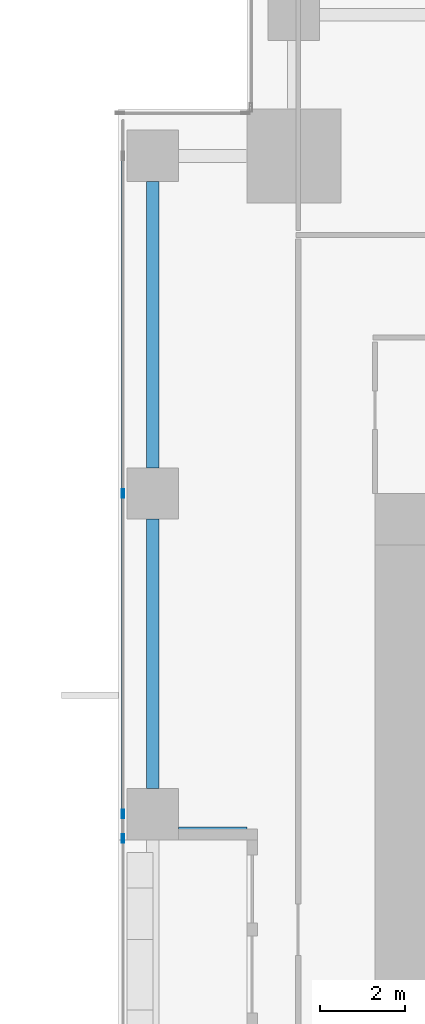
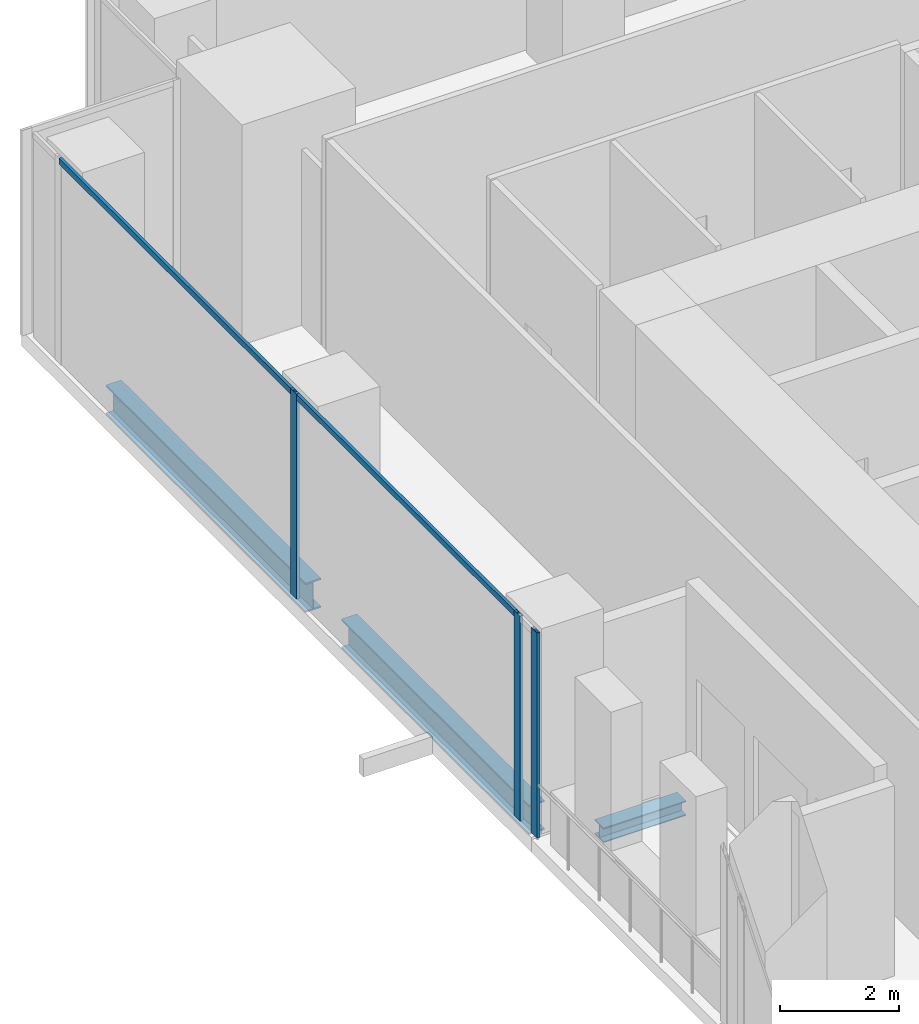
# One storey, part 12 of 32: 5 members, 3 beams, 1 element without a shape of its own.
"""IFC4 building model written with IfcOpenShell, lengths in metres."""

from ifc_helpers import new_model, si_unit, direction, frame, origin, origin_2d, place, context, subcontext, project, spatial, hollow_rectangle, i_section, extrude, source, transform, mapped, material, material_profile, profile_set, type_object, element, aggregate, save


model = new_model("IFC4")

# Units and contexts
model_context = context("Model", 3, precision=1e-05, world=origin(), true_north=direction((0.0, 1.0)))
body_context = subcontext(model_context, "Body", "Model", "MODEL_VIEW")
ifc_project = project(units=[si_unit("LENGTHUNIT", "METRE"), si_unit("AREAUNIT", "SQUARE_METRE"), si_unit("VOLUMEUNIT", "CUBIC_METRE"), si_unit("PLANEANGLEUNIT", "RADIAN"), si_unit("MASSUNIT", "GRAM", prefix="KILO")], contexts=[model_context])

# Site, building, storey
site_placement = place(None, origin())
site = spatial("IfcSite", under=ifc_project, at=site_placement, CompositionType="ELEMENT")
building_placement = place(site_placement, origin())
building = spatial("IfcBuilding", under=site, at=building_placement, Name="Khomas Fold Tower", CompositionType="ELEMENT")
storey_placement = place(building_placement, frame((0.0, 0.0, 64.5)))
storey = spatial("IfcBuildingStorey", under=building, at=storey_placement, Name="L13", CompositionType="ELEMENT", Elevation=64.5)

# Beams
ifc_material_1 = material(Name="Steel S355", Category="steel")
ifc_material_profile_1 = material_profile(ifc_material_1, i_section(OverallWidth=0.300048828125, OverallDepth=0.60009765625, WebThickness=0.015380859375, FlangeThickness=0.030029296875, at=origin_2d()), Name="HE 600 B")
ifc_profile_set_1 = profile_set([ifc_material_profile_1], Name="Steel S355")
beam_type_1 = type_object("IfcBeamType", Name="HE 600 B spandrel SB1", PredefinedType="SPANDREL", material=ifc_profile_set_1)
shared_shape_1 = source(origin(), body_context, "Body", "SweptSolid", [
    extrude(i_section(OverallWidth=0.300048828125, OverallDepth=0.60009765625, WebThickness=0.015380859375, FlangeThickness=0.030029296875, at=origin_2d()), origin(), (0.0, 0.0, 1.0), 6.699951171875),
])
beam_1_placement = place(storey_placement, frame((0.800048828125, 42.60009765625, -0.60009765625), z_axis=(0.0, 1.0, 0.0), x_axis=(-1.0, 0.0, 0.0)))
element("IfcBeam", 1, at=beam_1_placement, inside=storey, type_object=beam_type_1, Name="SB1", PredefinedType="SPANDREL", context=body_context, shape_type="MappedRepresentation", body=[
    mapped(shared_shape_1, transform((0.0, 0.0, 0.0))),
])
shared_shape_2 = source(origin(), body_context, "Body", "SweptSolid", [
    extrude(i_section(OverallWidth=0.300048828125, OverallDepth=0.60009765625, WebThickness=0.015380859375, FlangeThickness=0.030029296875, at=origin_2d()), origin(), (0.0, 0.0, 1.0), 6.2998046875),
])
beam_2_placement = place(storey_placement, frame((0.800048828125, 35.10009765625, -0.60009765625), z_axis=(0.0, 1.0, 0.0), x_axis=(-1.0, 0.0, 0.0)))
element("IfcBeam", 2, at=beam_2_placement, inside=storey, type_object=beam_type_1, Name="SB1", PredefinedType="SPANDREL", context=body_context, shape_type="MappedRepresentation", body=[
    mapped(shared_shape_2, transform((0.0, 0.0, 0.0))),
])
ifc_material_2 = material(Name="Steel S355", Category="steel")
ifc_material_profile_2 = material_profile(ifc_material_2, i_section(OverallWidth=0.300048828125, OverallDepth=0.300048828125, WebThickness=0.010986328125, FlangeThickness=0.01904296875, at=origin_2d()), Name="HE 300 B")
ifc_profile_set_2 = profile_set([ifc_material_profile_2], Name="Steel S355")
beam_type_2 = type_object("IfcBeamType", Name="HE 300 B beam BB1", PredefinedType="BEAM", material=ifc_profile_set_2)
shared_shape_3 = source(origin(), body_context, "Body", "SweptSolid", [
    extrude(i_section(OverallWidth=0.300048828125, OverallDepth=0.300048828125, WebThickness=0.010986328125, FlangeThickness=0.01904296875, at=origin_2d()), origin(), (0.0, 0.0, 1.0), 1.60009765625),
])
beam_3_placement = place(storey_placement, frame((1.39990234375, 34.050048828125, -0.449951171875), z_axis=(1.0, 0.0, 0.0), x_axis=(0.0, 1.0, 0.0)))
element("IfcBeam", 3, at=beam_3_placement, inside=storey, type_object=beam_type_2, Name="BB1", PredefinedType="BEAM", context=body_context, shape_type="MappedRepresentation", body=[
    mapped(shared_shape_3, transform((0.0, 0.0, 0.0))),
])

# Curtain wall, members
ifc_material_3 = material(Name="Aluminium framed double glazing", Category="aluminium")
curtain_wall_type = type_object("IfcCurtainWallType", Name="SK-Unitised clear-glass wall, growing floors CW1", PredefinedType="NOTDEFINED", material=ifc_material_3)
curtain_wall_placement = place(storey_placement, origin())
curtain_wall = element("IfcCurtainWall", 4, at=curtain_wall_placement, inside=storey, type_object=curtain_wall_type, Name="CW1 run L13 09-0", PredefinedType="NOTDEFINED")
ifc_material_4 = material(Name="Aluminium", Category="aluminium")
ifc_material_profile_3 = material_profile(ifc_material_4, hollow_rectangle(XDim=0.06005859375, YDim=0.1201171875, WallThickness=0.00390625, at=origin_2d()), Name="SK-Unitised clear-glass wall, growing floors transom CW1-T")
ifc_profile_set_3 = profile_set([ifc_material_profile_3], Name="Aluminium")
member_type_1 = type_object("IfcMemberType", Name="SK-Unitised clear-glass wall, growing floors transom CW1-T", PredefinedType="USERDEFINED", material=ifc_profile_set_3)
shared_shape_4 = source(origin(), body_context, "Body", "SweptSolid", [
    extrude(hollow_rectangle(XDim=0.06005859375, YDim=0.1201171875, WallThickness=0.00390625, at=origin_2d()), origin(), (0.0, 0.0, 1.0), 7.840087890625),
])
member_1_placement = place(storey_placement, frame((0.10009765625, 49.8701171875, 4.139892578125), z_axis=(0.0, -1.0, 0.0), x_axis=(1.0, 0.0, 0.0)))
member_1 = element("IfcMember", 5, at=member_1_placement, type_object=member_type_1, Name="CW1 transom 2", ObjectType="TRANSOM", PredefinedType="USERDEFINED", context=body_context, shape_type="MappedRepresentation", body=[
    mapped(shared_shape_4, transform((0.0, 0.0, 0.0))),
])
shared_shape_5 = source(origin(), body_context, "Body", "SweptSolid", [
    extrude(hollow_rectangle(XDim=0.06005859375, YDim=0.1201171875, WallThickness=0.00390625, at=origin_2d()), origin(), (0.0, 0.0, 1.0), 7.43994140625),
])
member_2_placement = place(storey_placement, frame((0.10009765625, 41.969970703125, 4.139892578125), z_axis=(0.0, -1.0, 0.0), x_axis=(1.0, 0.0, 0.0)))
member_2 = element("IfcMember", 6, at=member_2_placement, type_object=member_type_1, Name="CW1 transom 3", ObjectType="TRANSOM", PredefinedType="USERDEFINED", context=body_context, shape_type="MappedRepresentation", body=[
    mapped(shared_shape_5, transform((0.0, 0.0, 0.0))),
])
ifc_material_5 = material(Name="Aluminium", Category="aluminium")
ifc_material_profile_4 = material_profile(ifc_material_5, hollow_rectangle(XDim=0.06005859375, YDim=0.199951171875, WallThickness=0.00390625, at=origin_2d()), Name="SK-Unitised clear-glass wall, growing floors mullion CW1-M")
ifc_profile_set_4 = profile_set([ifc_material_profile_4], Name="Aluminium")
member_type_2 = type_object("IfcMemberType", Name="SK-Unitised clear-glass wall, growing floors mullion CW1-M", PredefinedType="MULLION", material=ifc_profile_set_4)
shared_shape_6 = source(origin(), body_context, "Body", "SweptSolid", [
    extrude(hollow_rectangle(XDim=0.06005859375, YDim=0.199951171875, WallThickness=0.00390625, at=origin_2d()), origin(), (0.0, 0.0, 1.0), 4.199951171875),
])
member_3_placement = place(storey_placement, frame((0.10009765625, 42.0, 0.0), z_axis=(0.0, 0.0, 1.0), x_axis=(1.0, 0.0, 0.0)))
member_3 = element("IfcMember", 7, at=member_3_placement, type_object=member_type_2, Name="CW1 mullion 3", PredefinedType="MULLION", context=body_context, shape_type="MappedRepresentation", body=[
    mapped(shared_shape_6, transform((0.0, 0.0, 0.0))),
])
member_4_placement = place(storey_placement, frame((0.10009765625, 34.5, 0.0), z_axis=(0.0, 0.0, 1.0), x_axis=(1.0, 0.0, 0.0)))
member_4 = element("IfcMember", 8, at=member_4_placement, type_object=member_type_2, Name="CW1 mullion 4", PredefinedType="MULLION", context=body_context, shape_type="MappedRepresentation", body=[
    mapped(shared_shape_6, transform((0.0, 0.0, 0.0))),
])
member_5_placement = place(storey_placement, frame((0.10009765625, 33.929931640625, 0.0), z_axis=(0.0, 0.0, 1.0), x_axis=(1.0, 0.0, 0.0)))
member_5 = element("IfcMember", 9, at=member_5_placement, type_object=member_type_2, Name="CW1 mullion 5", PredefinedType="MULLION", context=body_context, shape_type="MappedRepresentation", body=[
    mapped(shared_shape_6, transform((0.0, 0.0, 0.0))),
])
aggregate(curtain_wall, [member_3, member_4, member_5, member_1, member_2])

save(model, "model.ifc")
